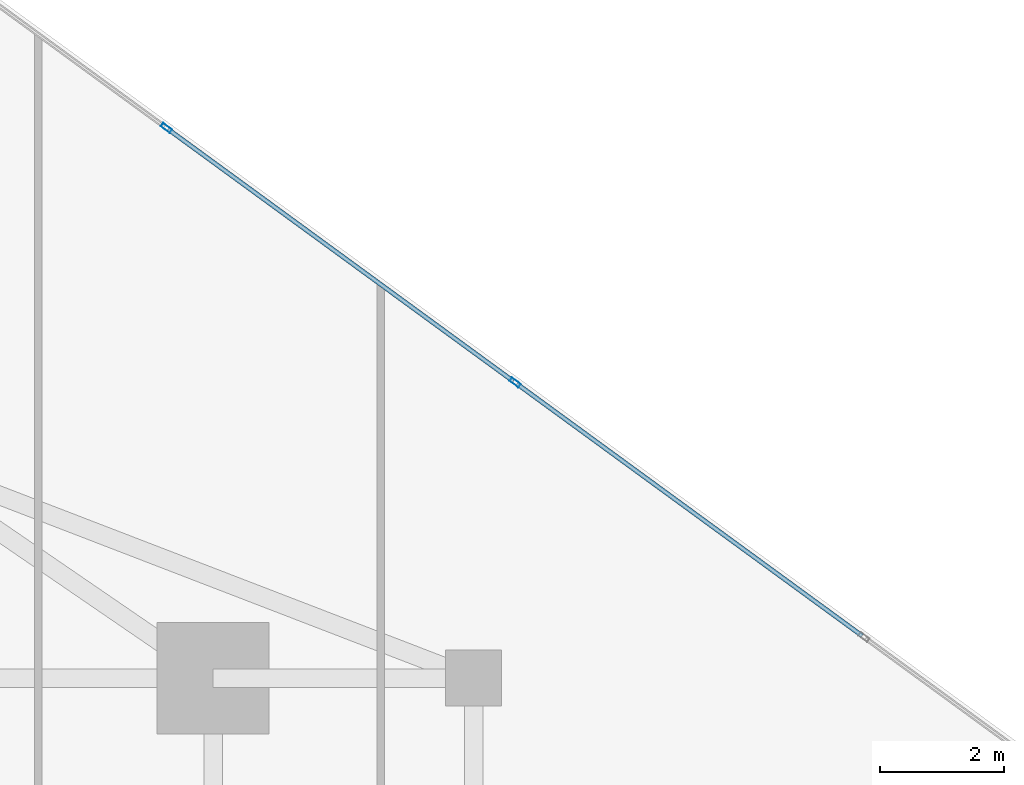
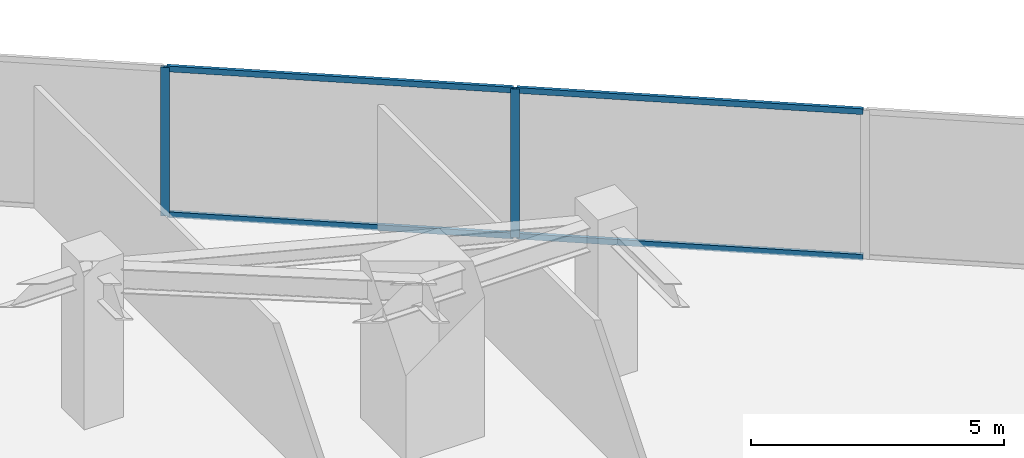
# One storey, part 17 of 25: 6 members, 1 element without a shape of its own.
"""IFC4 building model written with IfcOpenShell, lengths in metres."""

from ifc_helpers import new_model, si_unit, direction, frame, origin, origin_2d, place, context, subcontext, project, spatial, hollow_rectangle, extrude, source, transform, mapped, material, material_profile, profile_set, type_object, type_shapes, element, aggregate, save


model = new_model("IFC4")

# Units and contexts
model_context = context("Model", 3, precision=1e-05, world=origin(), true_north=direction((0.0, 1.0)))
body_context = subcontext(model_context, "Body", "Model", "MODEL_VIEW")
ifc_project = project(units=[si_unit("LENGTHUNIT", "METRE"), si_unit("AREAUNIT", "SQUARE_METRE"), si_unit("VOLUMEUNIT", "CUBIC_METRE"), si_unit("PLANEANGLEUNIT", "RADIAN"), si_unit("MASSUNIT", "GRAM", prefix="KILO")], contexts=[model_context])

# Site, building, storey
site_placement = place(None, origin())
site = spatial("IfcSite", under=ifc_project, at=site_placement, CompositionType="ELEMENT")
building_placement = place(site_placement, origin())
building = spatial("IfcBuilding", under=site, at=building_placement, Name="Krantzveldt Concourse Tower", CompositionType="ELEMENT")
storey_placement = place(building_placement, frame((0.0, 0.0, 197.550048828125)))
storey = spatial("IfcBuildingStorey", under=building, at=storey_placement, Name="L48", CompositionType="ELEMENT", Elevation=197.550048828125)

# Curtain wall, members
ifc_material = material(Name="Anodised aluminium 6063-T6", Category="aluminium")
curtain_wall_type = type_object("IfcCurtainWallType", Name="CW3", PredefinedType="USERDEFINED", material=ifc_material)
curtain_wall_placement = place(storey_placement, origin())
curtain_wall = element("IfcCurtainWall", 1, at=curtain_wall_placement, inside=storey, type_object=curtain_wall_type, Name="CW-L48-F10", ObjectType="UNITISED CURTAIN WALL", PredefinedType="USERDEFINED")
ifc_material_profile_1 = material_profile(ifc_material, hollow_rectangle(XDim=0.070068359375, YDim=0.179931640625, WallThickness=0.0048828125, at=origin_2d()), Name="Anodised aluminium 6063-T6", Category="aluminium")
ifc_profile_set_1 = profile_set([ifc_material_profile_1], Name="Anodised aluminium 6063-T6 - ALU-MULL 180x70x5")
member_type_1 = type_object("IfcMemberType", Name="CW-MUL-180", PredefinedType="MULLION", material=ifc_profile_set_1)
shared_shape_1 = source(origin(), body_context, "Body", "SweptSolid", [
    extrude(hollow_rectangle(XDim=0.070068359375, YDim=0.179931640625, WallThickness=0.0048828125, at=origin_2d()), origin(), (0.0, 0.0, 1.0), 3.58984375),
])
type_shapes(member_type_1, [shared_shape_1])
member_1_placement = place(storey_placement, frame((51.6689453125, 42.26513671875, 0.0), z_axis=(0.0, 0.0, 1.0), x_axis=(-0.589548833895, -0.807732735781, 0.0)))
member_1 = element("IfcMember", 2, at=member_1_placement, type_object=member_type_1, Name="CW-Z34 mullion 3", PredefinedType="MULLION", context=body_context, shape_type="MappedRepresentation", body=[
    mapped(shared_shape_1, transform((0.0, 0.0, 0.0), x_axis=(1.0, 0.0, 0.0), y_axis=(0.0, 1.0, 0.0), z_axis=(0.0, 0.0, 1.0), scale=1.0)),
])
member_2_placement = place(storey_placement, frame((46.047119140625, 46.3681640625, 0.0), z_axis=(0.0, 0.0, 1.0), x_axis=(-0.589548833895, -0.807732735781, 0.0)))
member_2 = element("IfcMember", 3, at=member_2_placement, type_object=member_type_1, Name="CW-Z34 mullion 4", PredefinedType="MULLION", context=body_context, shape_type="MappedRepresentation", body=[
    mapped(shared_shape_1, transform((0.0, 0.0, 0.0), x_axis=(1.0, 0.0, 0.0), y_axis=(0.0, 1.0, 0.0), z_axis=(0.0, 0.0, 1.0), scale=1.0)),
])
ifc_material_profile_2 = material_profile(ifc_material, hollow_rectangle(XDim=0.070068359375, YDim=0.139892578125, WallThickness=0.0048828125, at=origin_2d()), Name="Anodised aluminium 6063-T6", Category="aluminium")
ifc_profile_set_2 = profile_set([ifc_material_profile_2], Name="Anodised aluminium 6063-T6 - ALU-TRAN 140x70x5")
member_type_2 = type_object("IfcMemberType", Name="CW-TRN-150", PredefinedType="USERDEFINED", material=ifc_profile_set_2)
shared_shape_2 = source(origin(), body_context, "Body", "SweptSolid", [
    extrude(hollow_rectangle(XDim=0.070068359375, YDim=0.139892578125, WallThickness=0.0048828125, at=origin_2d()), origin(), (0.0, 0.0, 1.0), 6.889892578125),
])
type_shapes(member_type_2, [shared_shape_2])
member_3_placement = place(storey_placement, frame((57.262451171875, 38.182373046875, 0.034912109375), z_axis=(-0.807726644352, 0.589557179589, 0.0), x_axis=(-0.589557179589, -0.807726644352, 0.0)))
member_3 = element("IfcMember", 4, at=member_3_placement, type_object=member_type_2, Name="CW-Z34 transom 2.1", ObjectType="TRANSOM", PredefinedType="USERDEFINED", context=body_context, shape_type="MappedRepresentation", body=[
    mapped(shared_shape_2, transform((0.0, 0.0, 0.0), x_axis=(1.0, 0.0, 0.0), y_axis=(0.0, 1.0, 0.0), z_axis=(0.0, 0.0, 1.0), scale=1.0)),
])
member_4_placement = place(storey_placement, frame((57.262451171875, 38.182373046875, 3.554931640625), z_axis=(-0.807726644352, 0.589557179589, 0.0), x_axis=(-0.589557179589, -0.807726644352, 0.0)))
member_4 = element("IfcMember", 5, at=member_4_placement, type_object=member_type_2, Name="CW-Z34 transom 2.2", ObjectType="TRANSOM", PredefinedType="USERDEFINED", context=body_context, shape_type="MappedRepresentation", body=[
    mapped(shared_shape_2, transform((0.0, 0.0, 0.0), x_axis=(1.0, 0.0, 0.0), y_axis=(0.0, 1.0, 0.0), z_axis=(0.0, 0.0, 1.0), scale=1.0)),
])
member_5_placement = place(storey_placement, frame((51.640625, 42.28564453125, 0.034912109375), z_axis=(-0.807726644352, 0.589557179589, 0.0), x_axis=(-0.589557179589, -0.807726644352, 0.0)))
member_5 = element("IfcMember", 6, at=member_5_placement, type_object=member_type_2, Name="CW-Z34 transom 3.1", ObjectType="TRANSOM", PredefinedType="USERDEFINED", context=body_context, shape_type="MappedRepresentation", body=[
    mapped(shared_shape_2, transform((0.0, 0.0, 0.0), x_axis=(1.0, 0.0, 0.0), y_axis=(0.0, 1.0, 0.0), z_axis=(0.0, 0.0, 1.0), scale=1.0)),
])
member_6_placement = place(storey_placement, frame((51.640625, 42.28564453125, 3.554931640625), z_axis=(-0.807726644352, 0.589557179589, 0.0), x_axis=(-0.589557179589, -0.807726644352, 0.0)))
member_6 = element("IfcMember", 7, at=member_6_placement, type_object=member_type_2, Name="CW-Z34 transom 3.2", ObjectType="TRANSOM", PredefinedType="USERDEFINED", context=body_context, shape_type="MappedRepresentation", body=[
    mapped(shared_shape_2, transform((0.0, 0.0, 0.0), x_axis=(1.0, 0.0, 0.0), y_axis=(0.0, 1.0, 0.0), z_axis=(0.0, 0.0, 1.0), scale=1.0)),
])
aggregate(curtain_wall, [member_1, member_2, member_3, member_4, member_5, member_6])

save(model, "model.ifc")
